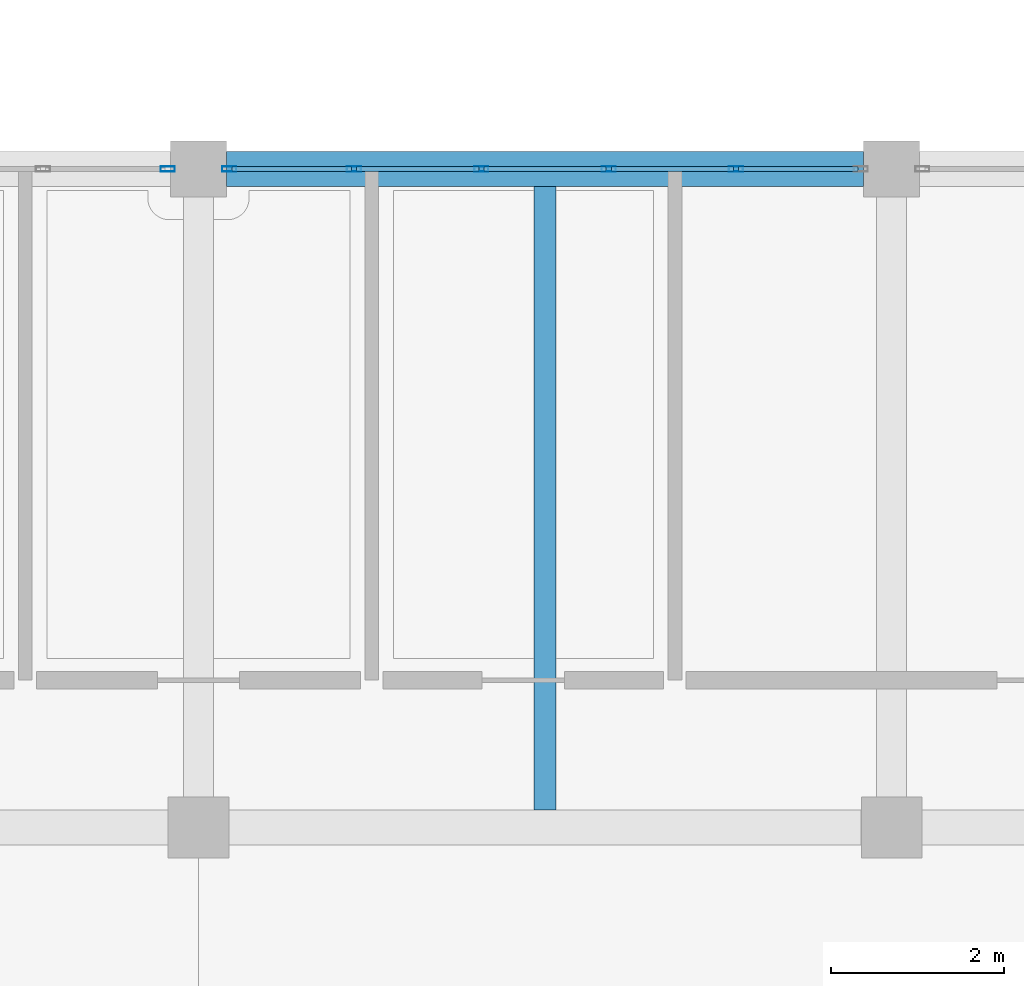
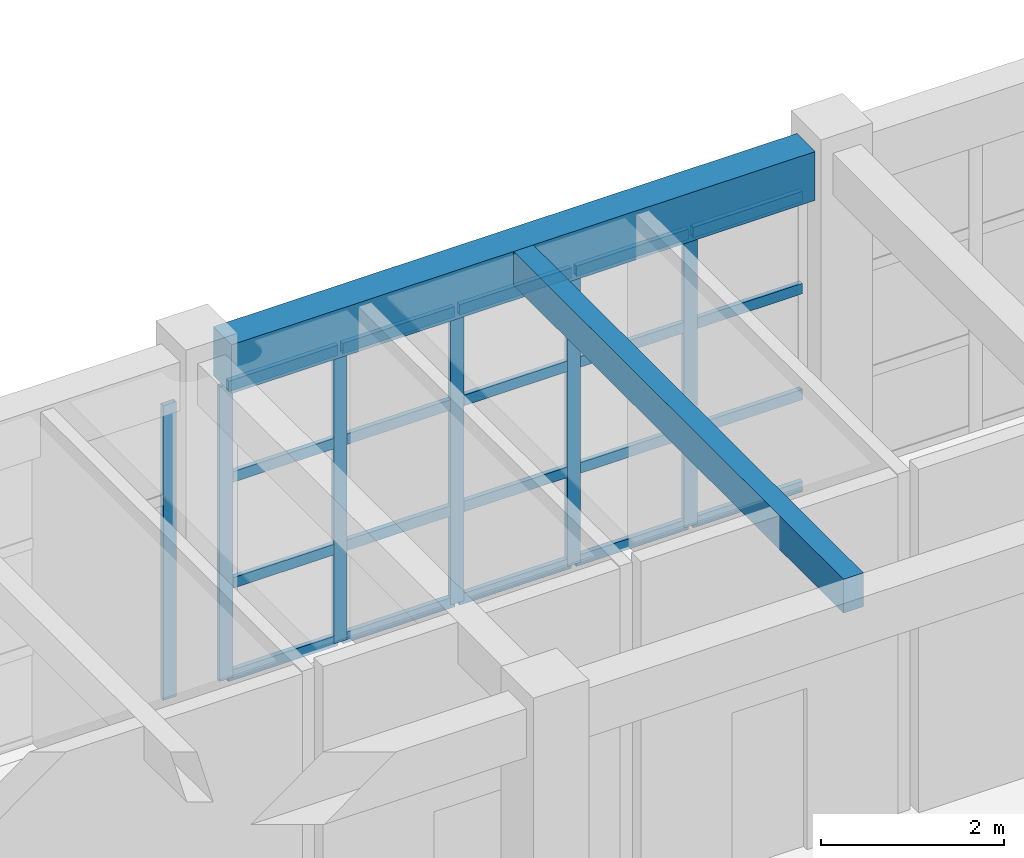
# One storey, part 17 of 50: 26 members, 2 beams, 2 elements without a shape of their own.
"""IFC4 building model written with IfcOpenShell, lengths in metres."""

from ifc_helpers import new_model, si_unit, direction, frame, origin, origin_2d, place, context, subcontext, project, spatial, rectangle, hollow_rectangle, extrude, material, material_profile, profile_set, type_object, element, aggregate, save


model = new_model("IFC4")

# Units and contexts
model_context = context("Model", 3, precision=1e-05, world=origin(), true_north=direction((0.0, 1.0)))
body_context = subcontext(model_context, "Body", "Model", "MODEL_VIEW")
ifc_project = project(units=[si_unit("LENGTHUNIT", "METRE"), si_unit("AREAUNIT", "SQUARE_METRE"), si_unit("VOLUMEUNIT", "CUBIC_METRE"), si_unit("PLANEANGLEUNIT", "RADIAN"), si_unit("MASSUNIT", "GRAM", prefix="KILO")], contexts=[model_context])

# Site, building, storey
site_placement = place(None, origin())
site = spatial("IfcSite", under=ifc_project, at=site_placement, CompositionType="ELEMENT")
building_placement = place(site_placement, origin())
building = spatial("IfcBuilding", under=site, at=building_placement, Name="Zantavel Square City Hall", CompositionType="ELEMENT")
storey_placement = place(building_placement, frame((0.0, 0.0, 18.89990234375)))
storey = spatial("IfcBuildingStorey", under=building, at=storey_placement, Name="L05", CompositionType="ELEMENT", Elevation=18.89990234375)

# Curtain wall, member
ifc_material_1 = material(Name="Anodised aluminium 6063-T6", Category="aluminium")
curtain_wall_type = type_object("IfcCurtainWallType", Name="Curtain Wall TRV1 7350x3920", PredefinedType="USERDEFINED", material=ifc_material_1)
curtain_wall_1_placement = place(storey_placement, origin())
curtain_wall_1 = element("IfcCurtainWall", 1, at=curtain_wall_1_placement, inside=storey, type_object=curtain_wall_type, Name="L05 Glazed Curtain Wall CW-L05-124", ObjectType="GLAZED CURTAIN WALL", PredefinedType="USERDEFINED")
ifc_material_profile_1 = material_profile(ifc_material_1, hollow_rectangle(XDim=0.06005859375, YDim=0.1650390625, WallThickness=0.00390625, at=origin_2d()), Name="ALU 60x165x4")
ifc_profile_set_1 = profile_set([ifc_material_profile_1], Name="Anodised aluminium 6063-T6")
member_type_1 = type_object("IfcMemberType", Name="CW Council Gallery Mullion ALU 60x165x4", PredefinedType="MULLION", material=ifc_profile_set_1)
member_1_placement = place(storey_placement, frame((79.64501953125, 68.39990234375, 0.0), z_axis=(0.0, 0.0, 1.0), x_axis=(0.0, 1.0, 0.0)))
member_1 = element("IfcMember", 2, at=member_1_placement, type_object=member_type_1, Name="CW-124 mullion 6", PredefinedType="MULLION", context=body_context, shape_type="SweptSolid", body=[
    extrude(hollow_rectangle(XDim=0.06005859375, YDim=0.1650390625, WallThickness=0.00390625, at=origin_2d()), origin(), (0.0, 0.0, 1.0), 3.920166015625),
])
aggregate(curtain_wall_1, [member_1])

# Curtain wall, members
curtain_wall_2_placement = place(storey_placement, origin())
curtain_wall_2 = element("IfcCurtainWall", 3, at=curtain_wall_2_placement, inside=storey, type_object=curtain_wall_type, Name="L05 Glazed Curtain Wall CW-L05-125", ObjectType="GLAZED CURTAIN WALL", PredefinedType="USERDEFINED")
member_2_placement = place(storey_placement, frame((80.35498046875, 68.39990234375, 0.0), z_axis=(0.0, 0.0, 1.0), x_axis=(0.0, 1.0, 0.0)))
member_2 = element("IfcMember", 4, at=member_2_placement, type_object=member_type_1, Name="CW-125 mullion 1", PredefinedType="MULLION", context=body_context, shape_type="SweptSolid", body=[
    extrude(hollow_rectangle(XDim=0.06005859375, YDim=0.1650390625, WallThickness=0.00390625, at=origin_2d()), origin(), (0.0, 0.0, 1.0), 3.920166015625),
])
member_3_placement = place(storey_placement, frame((81.794921875, 68.39990234375, 0.0), z_axis=(0.0, 0.0, 1.0), x_axis=(0.0, 1.0, 0.0)))
member_3 = element("IfcMember", 5, at=member_3_placement, type_object=member_type_1, Name="CW-125 mullion 2", PredefinedType="MULLION", context=body_context, shape_type="SweptSolid", body=[
    extrude(hollow_rectangle(XDim=0.06005859375, YDim=0.1650390625, WallThickness=0.00390625, at=origin_2d()), origin(), (0.0, 0.0, 1.0), 3.920166015625),
])
member_4_placement = place(storey_placement, frame((83.264892578125, 68.39990234375, 0.0), z_axis=(0.0, 0.0, 1.0), x_axis=(0.0, 1.0, 0.0)))
member_4 = element("IfcMember", 6, at=member_4_placement, type_object=member_type_1, Name="CW-125 mullion 3", PredefinedType="MULLION", context=body_context, shape_type="SweptSolid", body=[
    extrude(hollow_rectangle(XDim=0.06005859375, YDim=0.1650390625, WallThickness=0.00390625, at=origin_2d()), origin(), (0.0, 0.0, 1.0), 3.920166015625),
])
member_5_placement = place(storey_placement, frame((84.735107421875, 68.39990234375, 0.0), z_axis=(0.0, 0.0, 1.0), x_axis=(0.0, 1.0, 0.0)))
member_5 = element("IfcMember", 7, at=member_5_placement, type_object=member_type_1, Name="CW-125 mullion 4", PredefinedType="MULLION", context=body_context, shape_type="SweptSolid", body=[
    extrude(hollow_rectangle(XDim=0.06005859375, YDim=0.1650390625, WallThickness=0.00390625, at=origin_2d()), origin(), (0.0, 0.0, 1.0), 3.920166015625),
])
member_6_placement = place(storey_placement, frame((86.205078125, 68.39990234375, 0.0), z_axis=(0.0, 0.0, 1.0), x_axis=(0.0, 1.0, 0.0)))
member_6 = element("IfcMember", 8, at=member_6_placement, type_object=member_type_1, Name="CW-125 mullion 5", PredefinedType="MULLION", context=body_context, shape_type="SweptSolid", body=[
    extrude(hollow_rectangle(XDim=0.06005859375, YDim=0.1650390625, WallThickness=0.00390625, at=origin_2d()), origin(), (0.0, 0.0, 1.0), 3.920166015625),
])
ifc_material_profile_2 = material_profile(ifc_material_1, hollow_rectangle(XDim=0.06005859375, YDim=0.139892578125, WallThickness=0.00390625, at=origin_2d()), Name="ALU 60x140x4")
ifc_profile_set_2 = profile_set([ifc_material_profile_2], Name="Anodised aluminium 6063-T6")
member_type_2 = type_object("IfcMemberType", Name="CW Transom ALU 60x140x4", PredefinedType="USERDEFINED", material=ifc_profile_set_2)
member_7_placement = place(storey_placement, frame((80.385009765625, 68.39990234375, 0.030029296875), z_axis=(1.0, 0.0, 0.0), x_axis=(0.0, 1.0, 0.0)))
member_7 = element("IfcMember", 9, at=member_7_placement, type_object=member_type_2, Name="CW-125 transom 1.1", ObjectType="TRANSOM", PredefinedType="USERDEFINED", context=body_context, shape_type="SweptSolid", body=[
    extrude(hollow_rectangle(XDim=0.06005859375, YDim=0.139892578125, WallThickness=0.00390625, at=origin_2d()), origin(), (0.0, 0.0, 1.0), 1.3798828125),
])
member_8_placement = place(storey_placement, frame((80.385009765625, 68.39990234375, 1.254150390625), z_axis=(1.0, 0.0, 0.0), x_axis=(0.0, 1.0, 0.0)))
member_8 = element("IfcMember", 10, at=member_8_placement, type_object=member_type_2, Name="CW-125 transom 1.2", ObjectType="TRANSOM", PredefinedType="USERDEFINED", context=body_context, shape_type="SweptSolid", body=[
    extrude(hollow_rectangle(XDim=0.06005859375, YDim=0.139892578125, WallThickness=0.00390625, at=origin_2d()), origin(), (0.0, 0.0, 1.0), 1.3798828125),
])
member_9_placement = place(storey_placement, frame((80.385009765625, 68.39990234375, 2.666015625), z_axis=(1.0, 0.0, 0.0), x_axis=(0.0, 1.0, 0.0)))
member_9 = element("IfcMember", 11, at=member_9_placement, type_object=member_type_2, Name="CW-125 transom 1.3", ObjectType="TRANSOM", PredefinedType="USERDEFINED", context=body_context, shape_type="SweptSolid", body=[
    extrude(hollow_rectangle(XDim=0.06005859375, YDim=0.139892578125, WallThickness=0.00390625, at=origin_2d()), origin(), (0.0, 0.0, 1.0), 1.3798828125),
])
member_10_placement = place(storey_placement, frame((80.385009765625, 68.39990234375, 3.89013671875), z_axis=(1.0, 0.0, 0.0), x_axis=(0.0, 1.0, 0.0)))
member_10 = element("IfcMember", 12, at=member_10_placement, type_object=member_type_2, Name="CW-125 transom 1.4", ObjectType="TRANSOM", PredefinedType="USERDEFINED", context=body_context, shape_type="SweptSolid", body=[
    extrude(hollow_rectangle(XDim=0.06005859375, YDim=0.139892578125, WallThickness=0.00390625, at=origin_2d()), origin(), (0.0, 0.0, 1.0), 1.3798828125),
])
member_11_placement = place(storey_placement, frame((81.824951171875, 68.39990234375, 0.030029296875), z_axis=(1.0, 0.0, 0.0), x_axis=(0.0, 1.0, 0.0)))
member_11 = element("IfcMember", 13, at=member_11_placement, type_object=member_type_2, Name="CW-125 transom 2.1", ObjectType="TRANSOM", PredefinedType="USERDEFINED", context=body_context, shape_type="SweptSolid", body=[
    extrude(hollow_rectangle(XDim=0.06005859375, YDim=0.139892578125, WallThickness=0.00390625, at=origin_2d()), origin(), (0.0, 0.0, 1.0), 1.41015625),
])
member_12_placement = place(storey_placement, frame((81.824951171875, 68.39990234375, 1.254150390625), z_axis=(1.0, 0.0, 0.0), x_axis=(0.0, 1.0, 0.0)))
member_12 = element("IfcMember", 14, at=member_12_placement, type_object=member_type_2, Name="CW-125 transom 2.2", ObjectType="TRANSOM", PredefinedType="USERDEFINED", context=body_context, shape_type="SweptSolid", body=[
    extrude(hollow_rectangle(XDim=0.06005859375, YDim=0.139892578125, WallThickness=0.00390625, at=origin_2d()), origin(), (0.0, 0.0, 1.0), 1.41015625),
])
member_13_placement = place(storey_placement, frame((81.824951171875, 68.39990234375, 2.666015625), z_axis=(1.0, 0.0, 0.0), x_axis=(0.0, 1.0, 0.0)))
member_13 = element("IfcMember", 15, at=member_13_placement, type_object=member_type_2, Name="CW-125 transom 2.3", ObjectType="TRANSOM", PredefinedType="USERDEFINED", context=body_context, shape_type="SweptSolid", body=[
    extrude(hollow_rectangle(XDim=0.06005859375, YDim=0.139892578125, WallThickness=0.00390625, at=origin_2d()), origin(), (0.0, 0.0, 1.0), 1.41015625),
])
member_14_placement = place(storey_placement, frame((81.824951171875, 68.39990234375, 3.89013671875), z_axis=(1.0, 0.0, 0.0), x_axis=(0.0, 1.0, 0.0)))
member_14 = element("IfcMember", 16, at=member_14_placement, type_object=member_type_2, Name="CW-125 transom 2.4", ObjectType="TRANSOM", PredefinedType="USERDEFINED", context=body_context, shape_type="SweptSolid", body=[
    extrude(hollow_rectangle(XDim=0.06005859375, YDim=0.139892578125, WallThickness=0.00390625, at=origin_2d()), origin(), (0.0, 0.0, 1.0), 1.41015625),
])
member_15_placement = place(storey_placement, frame((83.294921875, 68.39990234375, 0.030029296875), z_axis=(1.0, 0.0, 0.0), x_axis=(0.0, 1.0, 0.0)))
member_15 = element("IfcMember", 17, at=member_15_placement, type_object=member_type_2, Name="CW-125 transom 3.1", ObjectType="TRANSOM", PredefinedType="USERDEFINED", context=body_context, shape_type="SweptSolid", body=[
    extrude(hollow_rectangle(XDim=0.06005859375, YDim=0.139892578125, WallThickness=0.00390625, at=origin_2d()), origin(), (0.0, 0.0, 1.0), 1.41015625),
])
member_16_placement = place(storey_placement, frame((83.294921875, 68.39990234375, 1.254150390625), z_axis=(1.0, 0.0, 0.0), x_axis=(0.0, 1.0, 0.0)))
member_16 = element("IfcMember", 18, at=member_16_placement, type_object=member_type_2, Name="CW-125 transom 3.2", ObjectType="TRANSOM", PredefinedType="USERDEFINED", context=body_context, shape_type="SweptSolid", body=[
    extrude(hollow_rectangle(XDim=0.06005859375, YDim=0.139892578125, WallThickness=0.00390625, at=origin_2d()), origin(), (0.0, 0.0, 1.0), 1.41015625),
])
member_17_placement = place(storey_placement, frame((83.294921875, 68.39990234375, 2.666015625), z_axis=(1.0, 0.0, 0.0), x_axis=(0.0, 1.0, 0.0)))
member_17 = element("IfcMember", 19, at=member_17_placement, type_object=member_type_2, Name="CW-125 transom 3.3", ObjectType="TRANSOM", PredefinedType="USERDEFINED", context=body_context, shape_type="SweptSolid", body=[
    extrude(hollow_rectangle(XDim=0.06005859375, YDim=0.139892578125, WallThickness=0.00390625, at=origin_2d()), origin(), (0.0, 0.0, 1.0), 1.41015625),
])
member_18_placement = place(storey_placement, frame((83.294921875, 68.39990234375, 3.89013671875), z_axis=(1.0, 0.0, 0.0), x_axis=(0.0, 1.0, 0.0)))
member_18 = element("IfcMember", 20, at=member_18_placement, type_object=member_type_2, Name="CW-125 transom 3.4", ObjectType="TRANSOM", PredefinedType="USERDEFINED", context=body_context, shape_type="SweptSolid", body=[
    extrude(hollow_rectangle(XDim=0.06005859375, YDim=0.139892578125, WallThickness=0.00390625, at=origin_2d()), origin(), (0.0, 0.0, 1.0), 1.41015625),
])
member_19_placement = place(storey_placement, frame((84.764892578125, 68.39990234375, 0.030029296875), z_axis=(1.0, 0.0, 0.0), x_axis=(0.0, 1.0, 0.0)))
member_19 = element("IfcMember", 21, at=member_19_placement, type_object=member_type_2, Name="CW-125 transom 4.1", ObjectType="TRANSOM", PredefinedType="USERDEFINED", context=body_context, shape_type="SweptSolid", body=[
    extrude(hollow_rectangle(XDim=0.06005859375, YDim=0.139892578125, WallThickness=0.00390625, at=origin_2d()), origin(), (0.0, 0.0, 1.0), 1.41015625),
])
member_20_placement = place(storey_placement, frame((84.764892578125, 68.39990234375, 1.254150390625), z_axis=(1.0, 0.0, 0.0), x_axis=(0.0, 1.0, 0.0)))
member_20 = element("IfcMember", 22, at=member_20_placement, type_object=member_type_2, Name="CW-125 transom 4.2", ObjectType="TRANSOM", PredefinedType="USERDEFINED", context=body_context, shape_type="SweptSolid", body=[
    extrude(hollow_rectangle(XDim=0.06005859375, YDim=0.139892578125, WallThickness=0.00390625, at=origin_2d()), origin(), (0.0, 0.0, 1.0), 1.41015625),
])
member_21_placement = place(storey_placement, frame((84.764892578125, 68.39990234375, 2.666015625), z_axis=(1.0, 0.0, 0.0), x_axis=(0.0, 1.0, 0.0)))
member_21 = element("IfcMember", 23, at=member_21_placement, type_object=member_type_2, Name="CW-125 transom 4.3", ObjectType="TRANSOM", PredefinedType="USERDEFINED", context=body_context, shape_type="SweptSolid", body=[
    extrude(hollow_rectangle(XDim=0.06005859375, YDim=0.139892578125, WallThickness=0.00390625, at=origin_2d()), origin(), (0.0, 0.0, 1.0), 1.41015625),
])
member_22_placement = place(storey_placement, frame((84.764892578125, 68.39990234375, 3.89013671875), z_axis=(1.0, 0.0, 0.0), x_axis=(0.0, 1.0, 0.0)))
member_22 = element("IfcMember", 24, at=member_22_placement, type_object=member_type_2, Name="CW-125 transom 4.4", ObjectType="TRANSOM", PredefinedType="USERDEFINED", context=body_context, shape_type="SweptSolid", body=[
    extrude(hollow_rectangle(XDim=0.06005859375, YDim=0.139892578125, WallThickness=0.00390625, at=origin_2d()), origin(), (0.0, 0.0, 1.0), 1.41015625),
])
member_23_placement = place(storey_placement, frame((86.235107421875, 68.39990234375, 0.030029296875), z_axis=(1.0, 0.0, 0.0), x_axis=(0.0, 1.0, 0.0)))
member_23 = element("IfcMember", 25, at=member_23_placement, type_object=member_type_2, Name="CW-125 transom 5.1", ObjectType="TRANSOM", PredefinedType="USERDEFINED", context=body_context, shape_type="SweptSolid", body=[
    extrude(hollow_rectangle(XDim=0.06005859375, YDim=0.139892578125, WallThickness=0.00390625, at=origin_2d()), origin(), (0.0, 0.0, 1.0), 1.3798828125),
])
member_24_placement = place(storey_placement, frame((86.235107421875, 68.39990234375, 1.254150390625), z_axis=(1.0, 0.0, 0.0), x_axis=(0.0, 1.0, 0.0)))
member_24 = element("IfcMember", 26, at=member_24_placement, type_object=member_type_2, Name="CW-125 transom 5.2", ObjectType="TRANSOM", PredefinedType="USERDEFINED", context=body_context, shape_type="SweptSolid", body=[
    extrude(hollow_rectangle(XDim=0.06005859375, YDim=0.139892578125, WallThickness=0.00390625, at=origin_2d()), origin(), (0.0, 0.0, 1.0), 1.3798828125),
])
member_25_placement = place(storey_placement, frame((86.235107421875, 68.39990234375, 2.666015625), z_axis=(1.0, 0.0, 0.0), x_axis=(0.0, 1.0, 0.0)))
member_25 = element("IfcMember", 27, at=member_25_placement, type_object=member_type_2, Name="CW-125 transom 5.3", ObjectType="TRANSOM", PredefinedType="USERDEFINED", context=body_context, shape_type="SweptSolid", body=[
    extrude(hollow_rectangle(XDim=0.06005859375, YDim=0.139892578125, WallThickness=0.00390625, at=origin_2d()), origin(), (0.0, 0.0, 1.0), 1.3798828125),
])
member_26_placement = place(storey_placement, frame((86.235107421875, 68.39990234375, 3.89013671875), z_axis=(1.0, 0.0, 0.0), x_axis=(0.0, 1.0, 0.0)))
member_26 = element("IfcMember", 28, at=member_26_placement, type_object=member_type_2, Name="CW-125 transom 5.4", ObjectType="TRANSOM", PredefinedType="USERDEFINED", context=body_context, shape_type="SweptSolid", body=[
    extrude(hollow_rectangle(XDim=0.06005859375, YDim=0.139892578125, WallThickness=0.00390625, at=origin_2d()), origin(), (0.0, 0.0, 1.0), 1.3798828125),
])
aggregate(curtain_wall_2, [member_2, member_3, member_4, member_5, member_6, member_7, member_8, member_9, member_10, member_11, member_12, member_13, member_14, member_15, member_16, member_17, member_18, member_19, member_20, member_21, member_22, member_23, member_24, member_25, member_26])

# Beams
ifc_material_2 = material(Name="Concrete C35/45", Category="concrete")
ifc_material_profile_3 = material_profile(ifc_material_2, rectangle(XDim=0.39990234375, YDim=0.64990234375, at=origin_2d()), Name="RC 400x650")
ifc_profile_set_3 = profile_set([ifc_material_profile_3], Name="Concrete C35/45")
beam_type_1 = type_object("IfcBeamType", Name="Frame Beam RC 400x650 C35/45", PredefinedType="BEAM", material=ifc_profile_set_3)
beam_1_placement = place(storey_placement, frame((80.324951171875, 68.39990234375, 4.2451171875), z_axis=(1.0, 0.0, 0.0), x_axis=(0.0, 1.0, 0.0)))
element("IfcBeam", 29, at=beam_1_placement, inside=storey, type_object=beam_type_1, Name="L05 Girder BMX-L05-0800-0684", PredefinedType="BEAM", context=body_context, shape_type="SweptSolid", body=[
    extrude(rectangle(XDim=0.39990234375, YDim=0.64990234375, at=origin_2d()), origin(), (0.0, 0.0, 1.0), 7.35009765625),
])
ifc_material_profile_4 = material_profile(ifc_material_2, rectangle(XDim=0.25, YDim=0.449951171875, at=origin_2d()), Name="RC 250x450")
ifc_profile_set_4 = profile_set([ifc_material_profile_4], Name="Concrete C35/45")
beam_type_2 = type_object("IfcBeamType", Name="Light Floor Joist RC 250x450 C35/45", PredefinedType="JOIST", material=ifc_profile_set_4)
beam_2_placement = place(storey_placement, frame((84.0, 61.0, 4.34521484375), z_axis=(0.0, 1.0, 0.0), x_axis=(-1.0, 0.0, 0.0)))
element("IfcBeam", 30, at=beam_2_placement, inside=storey, type_object=beam_type_2, Name="L05 Floor Joist JST-L05-0840-0608", PredefinedType="JOIST", context=body_context, shape_type="SweptSolid", body=[
    extrude(rectangle(XDim=0.25, YDim=0.449951171875, at=origin_2d()), origin(), (0.0, 0.0, 1.0), 7.199951171875),
])

save(model, "model.ifc")
